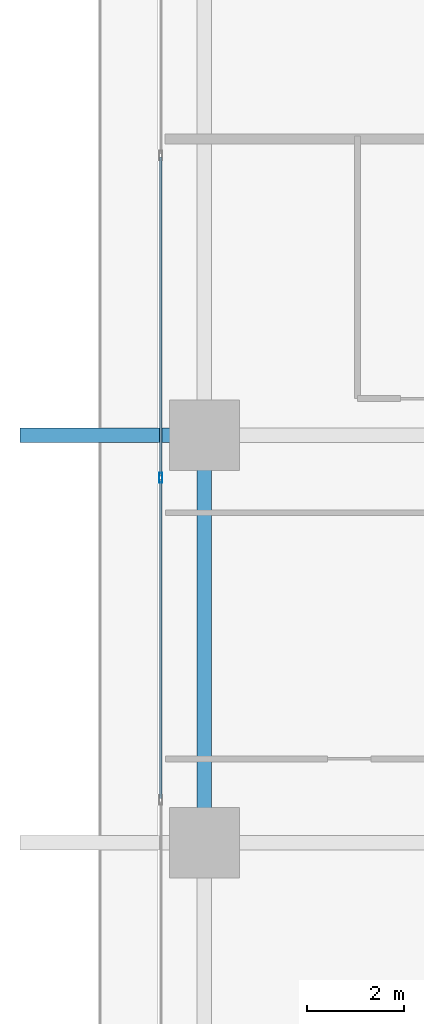
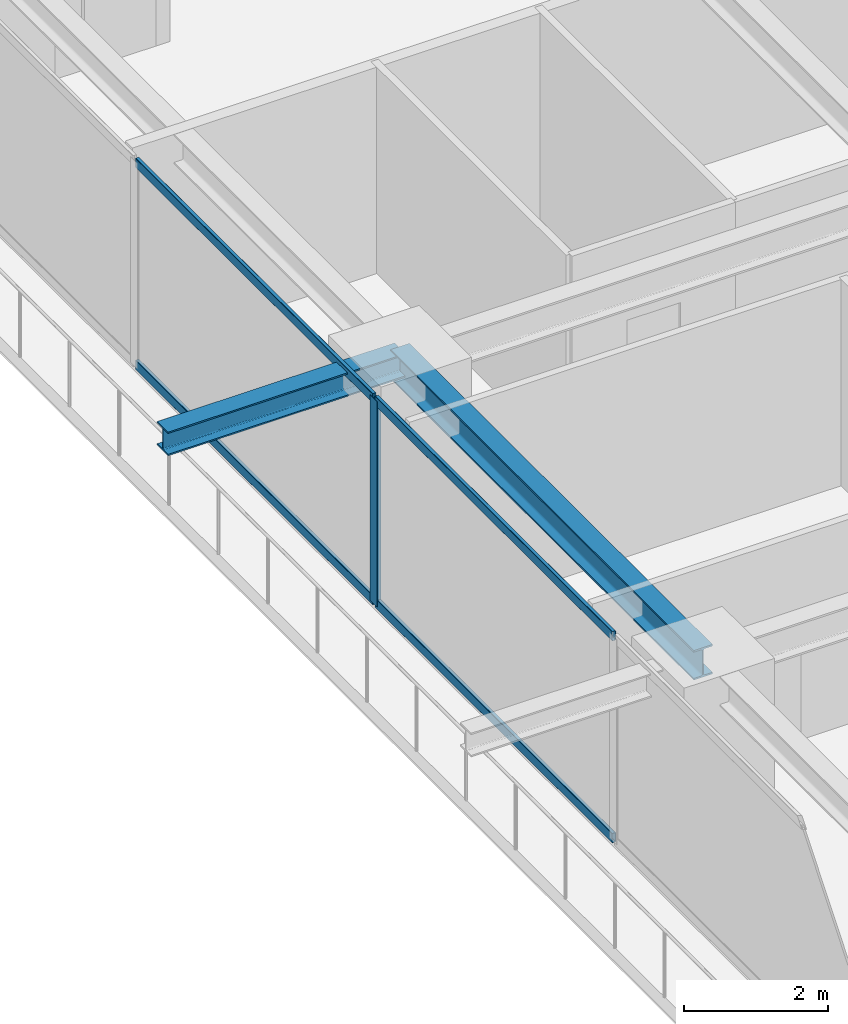
# One storey, part 8 of 38: 5 members, 2 beams, 1 element without a shape of its own.
"""IFC4 building model written with IfcOpenShell, lengths in metres."""

from ifc_helpers import new_model, si_unit, direction, frame, origin, origin_2d, place, context, subcontext, project, spatial, hollow_rectangle, i_section, extrude, source, transform, mapped, material, layer, layer_set, material_profile, profile_set, type_object, element, aggregate, save


model = new_model("IFC4")

# Units and contexts
model_context = context("Model", 3, precision=1e-05, world=origin(), true_north=direction((0.0, 1.0)))
body_context = subcontext(model_context, "Body", "Model", "MODEL_VIEW")
ifc_project = project(units=[si_unit("LENGTHUNIT", "METRE"), si_unit("AREAUNIT", "SQUARE_METRE"), si_unit("VOLUMEUNIT", "CUBIC_METRE"), si_unit("PLANEANGLEUNIT", "RADIAN"), si_unit("MASSUNIT", "GRAM", prefix="KILO")], contexts=[model_context])

# Site, building, storey
site_placement = place(None, origin())
site = spatial("IfcSite", under=ifc_project, at=site_placement, CompositionType="ELEMENT")
building_placement = place(site_placement, origin())
building = spatial("IfcBuilding", under=site, at=building_placement, Name="Serunith Strait Residences", CompositionType="ELEMENT")
storey_placement = place(building_placement, frame((0.0, 0.0, 52.949951171875)))
storey = spatial("IfcBuildingStorey", under=building, at=storey_placement, Name="L12", CompositionType="ELEMENT", Elevation=52.949951171875)

# Beams
ifc_material_1 = material(Name="Steel S355J2", Category="steel")
ifc_material_profile_1 = material_profile(ifc_material_1, i_section(OverallWidth=0.300048828125, OverallDepth=0.5, WebThickness=0.014404296875, FlangeThickness=0.028076171875, FilletRadius=0.027099609375, at=origin_2d()), Name="HEB 500")
ifc_profile_set_1 = profile_set([ifc_material_profile_1], Name="Steel S355J2")
beam_type_1 = type_object("IfcBeamType", Name="BM-HEB500", PredefinedType="BEAM", material=ifc_profile_set_1)
shared_shape_1 = source(origin(), body_context, "Body", "SweptSolid", [
    extrude(i_section(OverallWidth=0.300048828125, OverallDepth=0.5, WebThickness=0.014404296875, FlangeThickness=0.028076171875, FilletRadius=0.027099609375, at=origin_2d()), origin(), (0.0, 0.0, 1.0), 8.39990234375),
])
beam_1_placement = place(storey_placement, frame((6.89990234375, 29.39990234375, 3.237060546875), z_axis=(0.0, -1.0, 0.0), x_axis=(1.0, 0.0, 0.0)))
element("IfcBeam", 1, at=beam_1_placement, inside=storey, type_object=beam_type_1, Name="L12 Perimeter Ring Beam 14", PredefinedType="BEAM", context=body_context, shape_type="MappedRepresentation", body=[
    mapped(shared_shape_1, transform((0.0, 0.0, 0.0), scale=1.0)),
])
ifc_material_profile_2 = material_profile(ifc_material_1, i_section(OverallWidth=0.300048828125, OverallDepth=0.39990234375, WebThickness=0.013427734375, FlangeThickness=0.02392578125, FilletRadius=0.027099609375, at=origin_2d()), Name="HEB 400")
ifc_profile_set_2 = profile_set([ifc_material_profile_2], Name="Steel S355J2")
beam_type_2 = type_object("IfcBeamType", Name="BM-HEB400", PredefinedType="BEAM", material=ifc_profile_set_2)
shared_shape_2 = source(origin(), body_context, "Body", "SweptSolid", [
    extrude(i_section(OverallWidth=0.300048828125, OverallDepth=0.39990234375, WebThickness=0.013427734375, FlangeThickness=0.02392578125, FilletRadius=0.027099609375, at=origin_2d()), origin(), (0.0, 0.0, 1.0), 3.7998046875),
])
beam_2_placement = place(storey_placement, frame((6.89990234375, 29.39990234375, 3.257080078125), z_axis=(-1.0, 0.0, 0.0), x_axis=(0.0, -1.0, 0.0)))
element("IfcBeam", 2, at=beam_2_placement, inside=storey, type_object=beam_type_2, Name="L13 Cantilevered Balcony Rib TC-W3", PredefinedType="BEAM", context=body_context, shape_type="MappedRepresentation", body=[
    mapped(shared_shape_2, transform((0.0, 0.0, 0.0), scale=1.0)),
])

# Curtain wall, members
ifc_material_2 = material(Name="Pale-Champagne Anodised Aluminium", Category="aluminium")
ifc_layer = layer(ifc_material_2, 0.199951171875, Name="Pale-Champagne Anodised Aluminium")
ifc_layer_set = layer_set([ifc_layer], Name="Pale-Champagne Anodised Aluminium")
curtain_wall_type = type_object("IfcCurtainWallType", Name="CW-SYS1", PredefinedType="NOTDEFINED", material=ifc_layer_set)
curtain_wall_placement = place(storey_placement, origin())
curtain_wall = element("IfcCurtainWall", 3, at=curtain_wall_placement, inside=storey, type_object=curtain_wall_type, Name="L12 W Unitised Fritted Curtain Wall", PredefinedType="NOTDEFINED")
ifc_material_profile_3 = material_profile(ifc_material_2, hollow_rectangle(XDim=0.070068359375, YDim=0.199951171875, WallThickness=0.00390625, InnerFilletRadius=0.006103515625, OuterFilletRadius=0.010009765625, at=origin_2d()), Name="ALU 200x70x4")
ifc_profile_set_3 = profile_set([ifc_material_profile_3], Name="Pale-Champagne Anodised Aluminium")
member_type_1 = type_object("IfcMemberType", Name="CW-SYS1-MULL", PredefinedType="MULLION", material=ifc_profile_set_3)
shared_shape_3 = source(origin(), body_context, "Body", "SweptSolid", [
    extrude(hollow_rectangle(XDim=0.070068359375, YDim=0.199951171875, WallThickness=0.00390625, InnerFilletRadius=0.006103515625, OuterFilletRadius=0.010009765625, at=origin_2d()), origin(), (0.0, 0.0, 1.0), 3.47509765625),
])
member_1_placement = place(storey_placement, frame((6.0, 28.52001953125, 0.0), z_axis=(0.0, 0.0, 1.0), x_axis=(1.0, 0.0, 0.0)))
member_1 = element("IfcMember", 4, at=member_1_placement, type_object=member_type_1, Name="CW-1 mullion 3", PredefinedType="MULLION", context=body_context, shape_type="MappedRepresentation", body=[
    mapped(shared_shape_3, transform((0.0, 0.0, 0.0), scale=1.0)),
])
ifc_material_profile_4 = material_profile(ifc_material_2, hollow_rectangle(XDim=0.06005859375, YDim=0.159912109375, WallThickness=0.00341796875, InnerFilletRadius=0.00537109375, OuterFilletRadius=0.0087890625, at=origin_2d()), Name="ALU 160x60x3.5")
ifc_profile_set_4 = profile_set([ifc_material_profile_4], Name="Pale-Champagne Anodised Aluminium")
member_type_2 = type_object("IfcMemberType", Name="CW-SYS1-TRAN", PredefinedType="USERDEFINED", material=ifc_profile_set_4)
shared_shape_4 = source(origin(), body_context, "Body", "SweptSolid", [
    extrude(hollow_rectangle(XDim=0.06005859375, YDim=0.159912109375, WallThickness=0.00341796875, InnerFilletRadius=0.00537109375, OuterFilletRadius=0.0087890625, at=origin_2d()), origin(), (0.0, 0.0, 1.0), 6.570068359375),
])
member_2_placement = place(storey_placement, frame((6.0, 35.125, 0.030029296875), z_axis=(0.0, -1.0, 0.0), x_axis=(1.0, 0.0, 0.0)))
member_2 = element("IfcMember", 5, at=member_2_placement, type_object=member_type_2, Name="CW-1 transom 2.1", ObjectType="TRANSOM", PredefinedType="USERDEFINED", context=body_context, shape_type="MappedRepresentation", body=[
    mapped(shared_shape_4, transform((0.0, 0.0, 0.0), scale=1.0)),
])
member_3_placement = place(storey_placement, frame((6.0, 35.125, 3.445068359375), z_axis=(0.0, -1.0, 0.0), x_axis=(1.0, 0.0, 0.0)))
member_3 = element("IfcMember", 6, at=member_3_placement, type_object=member_type_2, Name="CW-1 transom 2.2", ObjectType="TRANSOM", PredefinedType="USERDEFINED", context=body_context, shape_type="MappedRepresentation", body=[
    mapped(shared_shape_4, transform((0.0, 0.0, 0.0), scale=1.0)),
])
member_4_placement = place(storey_placement, frame((6.0, 28.485107421875, 0.030029296875), z_axis=(0.0, -1.0, 0.0), x_axis=(1.0, 0.0, 0.0)))
member_4 = element("IfcMember", 7, at=member_4_placement, type_object=member_type_2, Name="CW-1 transom 3.1", ObjectType="TRANSOM", PredefinedType="USERDEFINED", context=body_context, shape_type="MappedRepresentation", body=[
    mapped(shared_shape_4, transform((0.0, 0.0, 0.0), scale=1.0)),
])
member_5_placement = place(storey_placement, frame((6.0, 28.485107421875, 3.445068359375), z_axis=(0.0, -1.0, 0.0), x_axis=(1.0, 0.0, 0.0)))
member_5 = element("IfcMember", 8, at=member_5_placement, type_object=member_type_2, Name="CW-1 transom 3.2", ObjectType="TRANSOM", PredefinedType="USERDEFINED", context=body_context, shape_type="MappedRepresentation", body=[
    mapped(shared_shape_4, transform((0.0, 0.0, 0.0), scale=1.0)),
])
aggregate(curtain_wall, [member_1, member_2, member_3, member_4, member_5])

save(model, "model.ifc")
